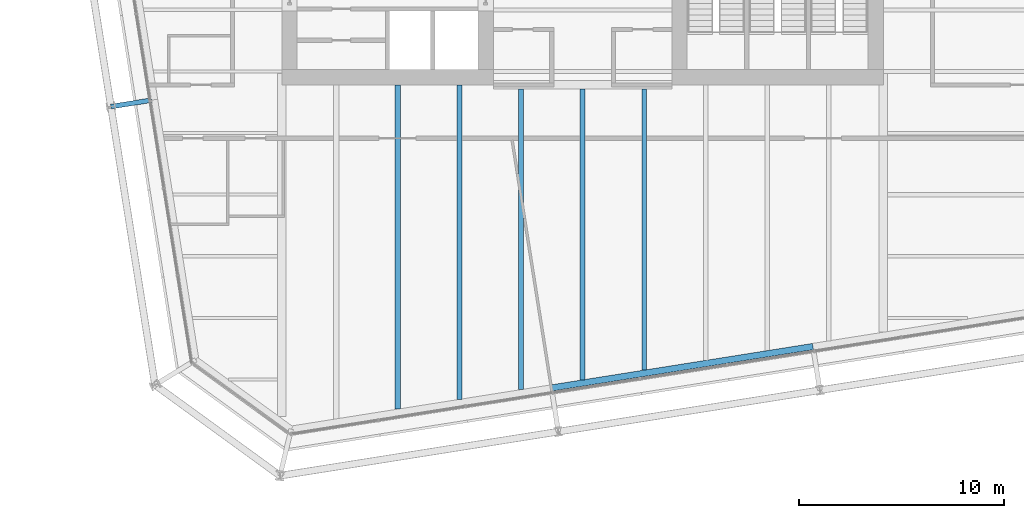
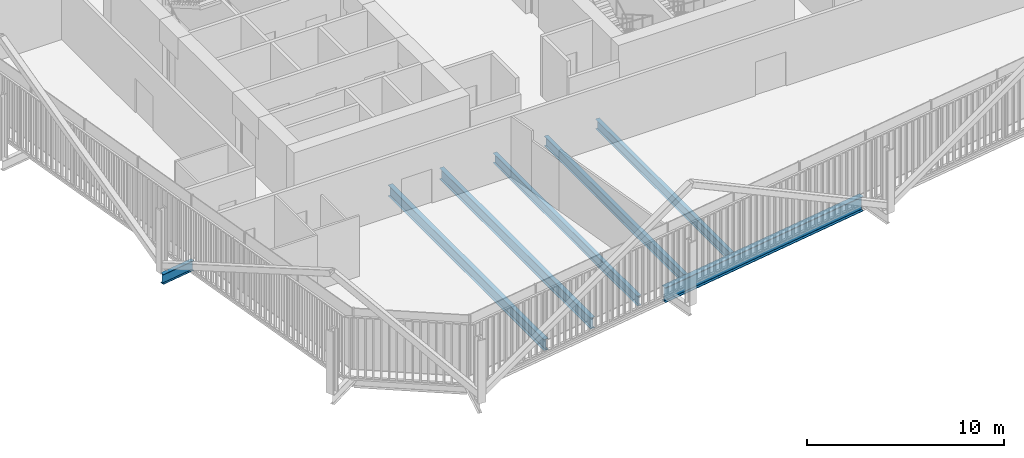
# One storey, part 3 of 22: 7 beams.
"""IFC4 building model written with IfcOpenShell, lengths in metres."""

from ifc_helpers import new_model, si_unit, direction, frame, origin, origin_2d, place, context, subcontext, project, spatial, i_section, extrude, material, material_profile, profile_set, type_object, element, save


model = new_model("IFC4")

# Units and contexts
model_context = context("Model", 3, precision=1e-05, world=origin(), true_north=direction((0.0, 1.0)))
body_context = subcontext(model_context, "Body", "Model", "MODEL_VIEW")
ifc_project = project(units=[si_unit("LENGTHUNIT", "METRE"), si_unit("AREAUNIT", "SQUARE_METRE"), si_unit("VOLUMEUNIT", "CUBIC_METRE"), si_unit("PLANEANGLEUNIT", "RADIAN"), si_unit("MASSUNIT", "GRAM", prefix="KILO")], contexts=[model_context])

# Site, building, storey
site_placement = place(None, origin())
site = spatial("IfcSite", under=ifc_project, at=site_placement, CompositionType="ELEMENT")
building_placement = place(site_placement, origin())
building = spatial("IfcBuilding", under=site, at=building_placement, Name="Millrace Tower", CompositionType="ELEMENT")
storey_placement = place(building_placement, frame((0.0, 0.0, 152.89990234375)))
storey = spatial("IfcBuildingStorey", under=building, at=storey_placement, Name="L34", CompositionType="ELEMENT", Elevation=152.89990234375)

# Beams
ifc_material_1 = material(Name="Steel ASTM A992 Grade 50", Category="steel")
ifc_material_profile_1 = material_profile(ifc_material_1, i_section(OverallWidth=0.228271484375, OverallDepth=0.607177734375, WebThickness=0.01123046875, FlangeThickness=0.017333984375, FilletRadius=0.0126953125, at=origin_2d()))
ifc_profile_set_1 = profile_set([ifc_material_profile_1], Name="Steel ASTM A992 Grade 50")
beam_type_1 = type_object("IfcBeamType", Name="Floor beam W24x76", PredefinedType="JOIST", material=ifc_profile_set_1)
beam_1_placement = place(storey_placement, frame((-3.0, -24.4970703125, -0.46337890625), z_axis=(0.0, 1.0, 0.0), x_axis=(-1.0, 0.0, 0.0)))
element("IfcBeam", 1, at=beam_1_placement, inside=storey, type_object=beam_type_1, Name="BM-C-L34-S1-S046", PredefinedType="JOIST", context=body_context, shape_type="SweptSolid", body=[
    extrude(i_section(OverallWidth=0.228271484375, OverallDepth=0.607177734375, WebThickness=0.01123046875, FlangeThickness=0.017333984375, FilletRadius=0.0126953125, at=origin_2d()), origin(), (0.0, 0.0, 1.0), 14.637451171875),
])
beam_2_placement = place(storey_placement, frame((0.0, -24.021728515625, -0.46337890625), z_axis=(0.0, 1.0, 0.0), x_axis=(-1.0, 0.0, 0.0)))
element("IfcBeam", 2, at=beam_2_placement, inside=storey, type_object=beam_type_1, Name="BM-C-L34-S1-S048", PredefinedType="JOIST", context=body_context, shape_type="SweptSolid", body=[
    extrude(i_section(OverallWidth=0.228271484375, OverallDepth=0.607177734375, WebThickness=0.01123046875, FlangeThickness=0.017333984375, FilletRadius=0.0126953125, at=origin_2d()), origin(), (0.0, 0.0, 1.0), 14.162109375),
])
beam_3_placement = place(storey_placement, frame((3.0, -23.546630859375, -0.46337890625), z_axis=(0.0, 1.0, 0.0), x_axis=(-1.0, 0.0, 0.0)))
element("IfcBeam", 3, at=beam_3_placement, inside=storey, type_object=beam_type_1, Name="BM-C-L34-S1-S050", PredefinedType="JOIST", context=body_context, shape_type="SweptSolid", body=[
    extrude(i_section(OverallWidth=0.228271484375, OverallDepth=0.607177734375, WebThickness=0.01123046875, FlangeThickness=0.017333984375, FilletRadius=0.0126953125, at=origin_2d()), origin(), (0.0, 0.0, 1.0), 13.68701171875),
])
ifc_material_2 = material(Name="Steel ASTM A992 Grade 50", Category="steel")
ifc_material_profile_2 = material_profile(ifc_material_2, i_section(OverallWidth=0.256591796875, OverallDepth=0.693359375, WebThickness=0.014404296875, FlangeThickness=0.023681640625, FilletRadius=0.01513671875, at=origin_2d()))
ifc_profile_set_2 = profile_set([ifc_material_profile_2], Name="Steel ASTM A992 Grade 50")
beam_type_2 = type_object("IfcBeamType", Name="Floor beam W27x114", PredefinedType="JOIST", material=ifc_profile_set_2)
beam_4_placement = place(storey_placement, frame((-9.0, -25.447265625, -0.506591796875), z_axis=(0.0, 1.0, 0.0), x_axis=(-1.0, 0.0, 0.0)))
element("IfcBeam", 4, at=beam_4_placement, inside=storey, type_object=beam_type_2, Name="BM-C-L34-S1-S042", PredefinedType="JOIST", context=body_context, shape_type="SweptSolid", body=[
    extrude(i_section(OverallWidth=0.256591796875, OverallDepth=0.693359375, WebThickness=0.014404296875, FlangeThickness=0.023681640625, FilletRadius=0.01513671875, at=origin_2d()), origin(), (0.0, 0.0, 1.0), 15.79736328125),
])
beam_5_placement = place(storey_placement, frame((-6.0, -24.97216796875, -0.506591796875), z_axis=(0.0, 1.0, 0.0), x_axis=(-1.0, 0.0, 0.0)))
element("IfcBeam", 5, at=beam_5_placement, inside=storey, type_object=beam_type_2, Name="BM-C-L34-S1-S044", PredefinedType="JOIST", context=body_context, shape_type="SweptSolid", body=[
    extrude(i_section(OverallWidth=0.256591796875, OverallDepth=0.693359375, WebThickness=0.014404296875, FlangeThickness=0.023681640625, FilletRadius=0.01513671875, at=origin_2d()), origin(), (0.0, 0.0, 1.0), 15.322265625),
])
ifc_material_3 = material(Name="Steel ASTM A992 Grade 50", Category="steel")
ifc_material_profile_3 = material_profile(ifc_material_3, i_section(OverallWidth=0.23046875, OverallDepth=0.6171875, WebThickness=0.01318359375, FlangeThickness=0.022216796875, FilletRadius=0.012939453125, at=origin_2d()))
ifc_profile_set_3 = profile_set([ifc_material_profile_3], Name="Steel ASTM A992 Grade 50")
beam_type_3 = type_object("IfcBeamType", Name="Link beam W24x94", PredefinedType="BEAM", material=ifc_profile_set_3)
beam_6_placement = place(storey_placement, frame((-21.001708984375, -10.396728515625, -0.468505859375), z_axis=(-0.987678691416, -0.156495375404, 0.0), x_axis=(0.156495375404, -0.987678691416, 0.0)))
element("IfcBeam", 6, at=beam_6_placement, inside=storey, type_object=beam_type_3, Name="LNK-C-L34-S1-02", PredefinedType="BEAM", context=body_context, shape_type="SweptSolid", body=[
    extrude(i_section(OverallWidth=0.23046875, OverallDepth=0.6171875, WebThickness=0.01318359375, FlangeThickness=0.022216796875, FilletRadius=0.012939453125, at=origin_2d()), origin(), (0.0, 0.0, 1.0), 2.0),
])
ifc_material_4 = material(Name="Steel ASTM A992 Grade 50", Category="steel")
ifc_material_profile_4 = material_profile(ifc_material_4, i_section(OverallWidth=0.307373046875, OverallDepth=0.927001953125, WebThickness=0.01953125, FlangeThickness=0.031982421875, FilletRadius=0.01904296875, at=origin_2d()))
ifc_profile_set_4 = profile_set([ifc_material_profile_4], Name="Steel ASTM A992 Grade 50")
beam_type_4 = type_object("IfcBeamType", Name="Ring beam medium span W36x194", PredefinedType="SPANDREL", material=ifc_profile_set_4)
beam_7_placement = place(storey_placement, frame((11.22265625, -22.39990234375, -0.62353515625), z_axis=(-0.987687196578, -0.156441687909, 0.0), x_axis=(0.156441687909, -0.987687196578, 0.0)))
element("IfcBeam", 7, at=beam_7_placement, inside=storey, type_object=beam_type_4, Name="RNG-C-L34-S1-14", PredefinedType="SPANDREL", context=body_context, shape_type="SweptSolid", body=[
    extrude(i_section(OverallWidth=0.307373046875, OverallDepth=0.927001953125, WebThickness=0.01953125, FlangeThickness=0.031982421875, FilletRadius=0.01904296875, at=origin_2d()), origin(), (0.0, 0.0, 1.0), 12.89990234375),
])

save(model, "model.ifc")
